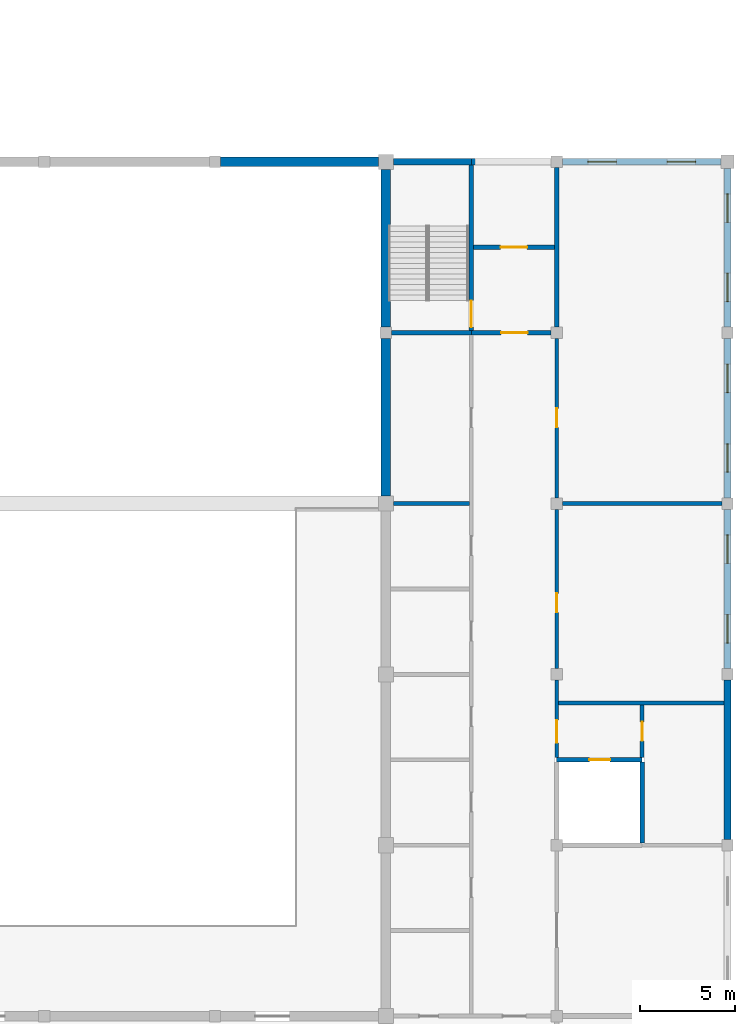
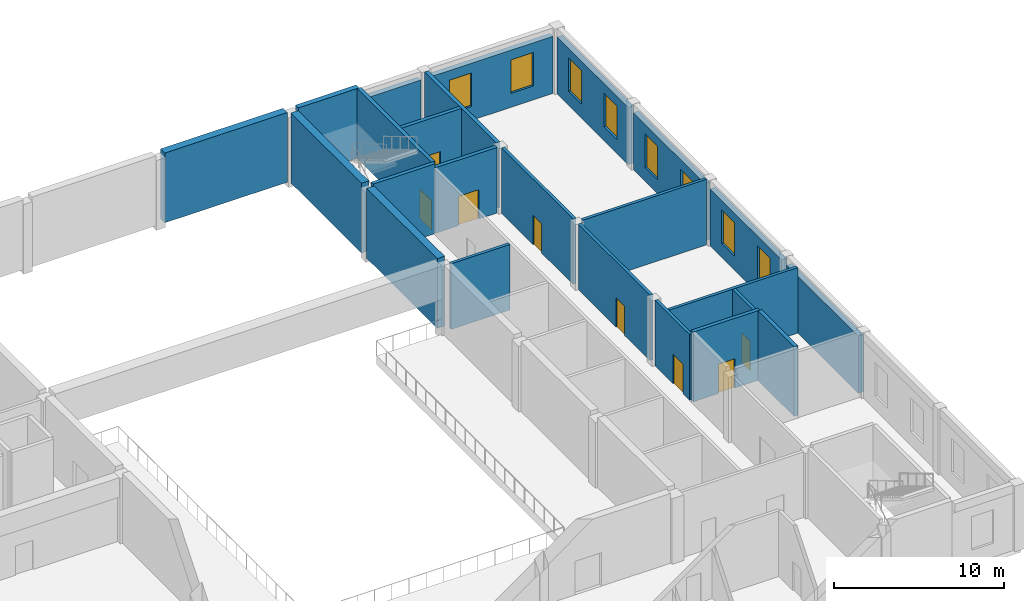
# One storey, part 26 of 34: 24 walls, 8 doors, 8 windows, 16 openings.
"""IFC4 building model written with IfcOpenShell, lengths in metres."""

from ifc_helpers import new_model, si_unit, direction, frame, frame_2d, origin, place, context, subcontext, project, spatial, rectangle, extrude, material, layer, layer_set, type_object, element, fill, save


model = new_model("IFC4")

# Units and contexts
model_context = context("Model", 3, precision=1e-05, world=origin(), true_north=direction((0.0, 1.0)))
body_context = subcontext(model_context, "Body", "Model", "MODEL_VIEW")
ifc_project = project(units=[si_unit("LENGTHUNIT", "METRE"), si_unit("AREAUNIT", "SQUARE_METRE"), si_unit("VOLUMEUNIT", "CUBIC_METRE"), si_unit("PLANEANGLEUNIT", "RADIAN"), si_unit("MASSUNIT", "GRAM", prefix="KILO")], contexts=[model_context])

# Site, building, storey
site_placement = place(None, origin())
site = spatial("IfcSite", under=ifc_project, at=site_placement, CompositionType="ELEMENT")
building_placement = place(site_placement, origin())
building = spatial("IfcBuilding", under=site, at=building_placement, Name="Firuza Court", CompositionType="ELEMENT")
storey_placement = place(building_placement, frame((0.0, 0.0, 19.0)))
storey = spatial("IfcBuildingStorey", under=building, at=storey_placement, Name="L03", CompositionType="ELEMENT", Elevation=19.0)

# Walls
ifc_material_1 = material(Name="Blockwork", Category="masonry")
ifc_layer_1 = layer(ifc_material_1, 0.199951171875)
ifc_layer_set_1 = layer_set([ifc_layer_1], Name="Blockwork")
wall_type_1 = type_object("IfcWallType", Name="HALL PARTITION 200", PredefinedType="STANDARD", material=ifc_layer_set_1)
wall_1_placement = place(storey_placement, frame((144.10009765625, 16.5, 0.0), z_axis=(0.0, 0.0, 1.0), x_axis=(1.0, 0.0, 0.0)))
element("IfcWall", 1, at=wall_1_placement, inside=storey, type_object=wall_type_1, Name="Wall L03.26", PredefinedType="STANDARD", context=body_context, shape_type="SweptSolid", body=[
    extrude(rectangle(XDim=8.724853515625, YDim=0.199951171875, at=frame_2d((4.3623046875, 0.0))), origin(), (0.0, 0.0, 1.0), 4.699951171875),
])
wall_2_placement = place(storey_placement, frame((135.39990234375, 27.0, 0.0), z_axis=(0.0, 0.0, 1.0), x_axis=(1.0, 0.0, 0.0)))
element("IfcWall", 2, at=wall_2_placement, inside=storey, type_object=wall_type_1, Name="Wall L03.38", PredefinedType="STANDARD", context=body_context, shape_type="SweptSolid", body=[
    extrude(rectangle(XDim=4.0, YDim=0.199951171875, at=frame_2d((2.0, 0.0))), origin(), (0.0, 0.0, 1.0), 4.699951171875),
])
wall_3_placement = place(storey_placement, frame((144.300048828125, 27.0, 0.0), z_axis=(0.0, 0.0, 1.0), x_axis=(1.0, 0.0, 0.0)))
element("IfcWall", 3, at=wall_3_placement, inside=storey, type_object=wall_type_1, Name="Wall L03.39", PredefinedType="STANDARD", context=body_context, shape_type="SweptSolid", body=[
    extrude(rectangle(XDim=8.39990234375, YDim=0.199951171875, at=frame_2d((4.199951171875, 0.0))), origin(), (0.0, 0.0, 1.0), 4.699951171875),
])

# Wall, opening, door
wall_4_placement = place(storey_placement, frame((144.0, 13.625, 0.0), z_axis=(0.0, 0.0, 1.0), x_axis=(0.0, 1.0, 0.0)))
wall_4 = element("IfcWall", 4, at=wall_4_placement, inside=storey, type_object=wall_type_1, Name="Wall L03.84", PredefinedType="STANDARD", context=body_context, shape_type="SweptSolid", body=[
    extrude(rectangle(XDim=4.074951171875, YDim=0.199951171875, at=frame_2d((2.03759765625, 0.0))), origin(), (0.0, 0.0, 1.0), 4.699951171875),
])
opening_1_placement = place(wall_4_placement, frame((0.77001953125, 0.0, 0.0)))
opening_1 = element("IfcOpeningElement", 5, at=opening_1_placement, cuts=wall_4, Name="Opening H126", PredefinedType="OPENING", context=body_context, shape_type="SweptSolid", body=[
    extrude(rectangle(XDim=1.199951171875, YDim=2.10009765625, at=frame_2d((0.60009765625, 1.050048828125))), frame((0.0, 0.11181640625, 0.0), z_axis=(0.0, -1.0, 0.0), x_axis=(1.0, 0.0, 0.0)), (0.0, 0.0, 1.0), 0.223876953125),
])
ifc_material_2 = material(Name="Timber", Category="wood")
door_type_1 = type_object("IfcDoorType", Name="HALL DOOR 1200X2100", OperationType="SINGLE_SWING_LEFT", PredefinedType="DOOR", material=ifc_material_2)
door_1_placement = place(opening_1_placement, frame((1.199951171875, 0.0, 0.0), z_axis=(0.0, 0.0, 1.0), x_axis=(-1.0, 0.0, 0.0)))
door_1 = element("IfcDoor", 6, at=door_1_placement, inside=storey, type_object=door_type_1, Name="Door Goods lobby to Backstage corridor", OperationType="SINGLE_SWING_RIGHT", OverallHeight=2.10009765625, OverallWidth=1.199951171875, PredefinedType="DOOR", context=body_context, shape_type="SweptSolid", body=[
    extrude(rectangle(XDim=1.199951171875, YDim=2.10009765625, at=frame_2d((0.60009765625, 1.050048828125))), frame((0.0, 0.02490234375, 0.0), z_axis=(0.0, -1.0, 0.0), x_axis=(1.0, 0.0, 0.0)), (0.0, 0.0, 1.0), 0.050048828125),
])
fill(opening_1, door_1)

wall_5_placement = place(storey_placement, frame((144.0, 18.300048828125, 0.0), z_axis=(0.0, 0.0, 1.0), x_axis=(0.0, 1.0, 0.0)))
wall_5 = element("IfcWall", 7, at=wall_5_placement, inside=storey, type_object=wall_type_1, Name="Wall L03.85", PredefinedType="STANDARD", context=body_context, shape_type="SweptSolid", body=[
    extrude(rectangle(XDim=8.39990234375, YDim=0.199951171875, at=frame_2d((4.199951171875, 0.0))), origin(), (0.0, 0.0, 1.0), 4.699951171875),
])
opening_2_placement = place(wall_5_placement, frame((2.969970703125, 0.0, 0.0)))
opening_2 = element("IfcOpeningElement", 8, at=opening_2_placement, cuts=wall_5, Name="Opening H148", PredefinedType="OPENING", context=body_context, shape_type="SweptSolid", body=[
    extrude(rectangle(XDim=1.0, YDim=2.10009765625, at=frame_2d((0.5, 1.050048828125))), frame((0.0, 0.11181640625, 0.0), z_axis=(0.0, -1.0, 0.0), x_axis=(1.0, 0.0, 0.0)), (0.0, 0.0, 1.0), 0.223876953125),
])
ifc_material_3 = material(Name="Timber", Category="wood")
door_type_2 = type_object("IfcDoorType", Name="HALL DOOR 1000X2100", OperationType="SINGLE_SWING_LEFT", PredefinedType="DOOR", material=ifc_material_3)
door_2_placement = place(opening_2_placement, frame((1.0, 0.0, 0.0), z_axis=(0.0, 0.0, 1.0), x_axis=(-1.0, 0.0, 0.0)))
door_2 = element("IfcDoor", 9, at=door_2_placement, inside=storey, type_object=door_type_2, Name="Door Meeting room", OperationType="SINGLE_SWING_RIGHT", OverallHeight=2.10009765625, OverallWidth=1.0, PredefinedType="DOOR", context=body_context, shape_type="SweptSolid", body=[
    extrude(rectangle(XDim=1.0, YDim=2.10009765625, at=frame_2d((0.5, 1.050048828125))), frame((0.0, 0.02490234375, 0.0), z_axis=(0.0, -1.0, 0.0), x_axis=(1.0, 0.0, 0.0)), (0.0, 0.0, 1.0), 0.050048828125),
])
fill(opening_2, door_2)

wall_6_placement = place(storey_placement, frame((144.0, 27.300048828125, 0.0), z_axis=(0.0, 0.0, 1.0), x_axis=(0.0, 1.0, 0.0)))
wall_6 = element("IfcWall", 10, at=wall_6_placement, inside=storey, type_object=wall_type_1, Name="Wall L03.86", PredefinedType="STANDARD", context=body_context, shape_type="SweptSolid", body=[
    extrude(rectangle(XDim=8.39990234375, YDim=0.199951171875, at=frame_2d((4.199951171875, 0.0))), origin(), (0.0, 0.0, 1.0), 4.699951171875),
])
opening_3_placement = place(wall_6_placement, frame((3.719970703125, 0.0, 0.0)))
opening_3 = element("IfcOpeningElement", 11, at=opening_3_placement, cuts=wall_6, Name="Opening H149", PredefinedType="OPENING", context=body_context, shape_type="SweptSolid", body=[
    extrude(rectangle(XDim=1.0, YDim=2.10009765625, at=frame_2d((0.5, 1.050048828125))), frame((0.0, 0.11181640625, 0.0), z_axis=(0.0, -1.0, 0.0), x_axis=(1.0, 0.0, 0.0)), (0.0, 0.0, 1.0), 0.223876953125),
])
door_3_placement = place(opening_3_placement, frame((1.0, 0.0, 0.0), z_axis=(0.0, 0.0, 1.0), x_axis=(-1.0, 0.0, 0.0)))
door_3 = element("IfcDoor", 12, at=door_3_placement, inside=storey, type_object=door_type_2, Name="Door Administration offices", OperationType="SINGLE_SWING_RIGHT", OverallHeight=2.10009765625, OverallWidth=1.0, PredefinedType="DOOR", context=body_context, shape_type="SweptSolid", body=[
    extrude(rectangle(XDim=1.0, YDim=2.10009765625, at=frame_2d((0.5, 1.050048828125))), frame((0.0, 0.02490234375, 0.0), z_axis=(0.0, -1.0, 0.0), x_axis=(1.0, 0.0, 0.0)), (0.0, 0.0, 1.0), 0.050048828125),
])
fill(opening_3, door_3)

wall_7_placement = place(storey_placement, frame((148.5, 13.625, 0.0), z_axis=(0.0, 0.0, 1.0), x_axis=(0.0, 1.0, 0.0)))
wall_7 = element("IfcWall", 13, at=wall_7_placement, inside=storey, type_object=wall_type_1, Name="Wall L03.90", PredefinedType="STANDARD", context=body_context, shape_type="SweptSolid", body=[
    extrude(rectangle(XDim=2.77490234375, YDim=0.199951171875, at=frame_2d((1.387451171875, 0.0))), origin(), (0.0, 0.0, 1.0), 4.699951171875),
])
opening_4_placement = place(wall_7_placement, frame((0.8701171875, 0.0, 0.0)))
opening_4 = element("IfcOpeningElement", 14, at=opening_4_placement, cuts=wall_7, Name="Opening H147", PredefinedType="OPENING", context=body_context, shape_type="SweptSolid", body=[
    extrude(rectangle(XDim=1.0, YDim=2.10009765625, at=frame_2d((0.5, 1.050048828125))), frame((0.0, 0.11181640625, 0.0), z_axis=(0.0, -1.0, 0.0), x_axis=(1.0, 0.0, 0.0)), (0.0, 0.0, 1.0), 0.223876953125),
])
door_4_placement = place(opening_4_placement, frame((1.0, 0.0, 0.0), z_axis=(0.0, 0.0, 1.0), x_axis=(-1.0, 0.0, 0.0)))
door_4 = element("IfcDoor", 15, at=door_4_placement, inside=storey, type_object=door_type_2, Name="Door Scenery store", OperationType="SINGLE_SWING_LEFT", OverallHeight=2.10009765625, OverallWidth=1.0, PredefinedType="DOOR", context=body_context, shape_type="SweptSolid", body=[
    extrude(rectangle(XDim=1.0, YDim=2.10009765625, at=frame_2d((0.5, 1.050048828125))), frame((0.0, 0.02490234375, 0.0), z_axis=(0.0, -1.0, 0.0), x_axis=(1.0, 0.0, 0.0)), (0.0, 0.0, 1.0), 0.050048828125),
])
fill(opening_4, door_4)

ifc_material_4 = material(Name="Concrete C40/50", Category="concrete")
ifc_layer_2 = layer(ifc_material_4, 0.25)
ifc_layer_set_2 = layer_set([ifc_layer_2], Name="Concrete C40/50")
wall_type_2 = type_object("IfcWallType", Name="HALL RC WALL 250", PredefinedType="STANDARD", material=ifc_layer_set_2)
wall_8_placement = place(storey_placement, frame((144.0, 13.5, 0.0), z_axis=(0.0, 0.0, 1.0), x_axis=(1.0, 0.0, 0.0)))
wall_8 = element("IfcWall", 16, at=wall_8_placement, inside=storey, type_object=wall_type_2, Name="Wall L03.25", PredefinedType="STANDARD", context=body_context, shape_type="SweptSolid", body=[
    extrude(rectangle(XDim=4.5, YDim=0.25, at=frame_2d((2.25, 0.0))), origin(), (0.0, 0.0, 1.0), 5.0),
])
opening_5_placement = place(wall_8_placement, frame((1.719970703125, 0.0, 0.0)))
opening_5 = element("IfcOpeningElement", 17, at=opening_5_placement, cuts=wall_8, Name="Opening LD", PredefinedType="OPENING", context=body_context, shape_type="SweptSolid", body=[
    extrude(rectangle(XDim=1.10009765625, YDim=2.10009765625, at=frame_2d((0.550048828125, 1.050048828125))), frame((0.0, 0.136962890625, 0.0), z_axis=(0.0, -1.0, 0.0), x_axis=(1.0, 0.0, 0.0)), (0.0, 0.0, 1.0), 0.27392578125),
])
ifc_material_5 = material(Name="Stainless steel", Category="steel")
door_type_3 = type_object("IfcDoorType", Name="HALL LANDING DOOR 1100X2100", OperationType="SLIDING_TO_LEFT", PredefinedType="DOOR", material=ifc_material_5)
door_5_placement = place(opening_5_placement, origin())
door_5 = element("IfcDoor", 18, at=door_5_placement, inside=storey, type_object=door_type_3, Name="Landing door GL1 L03", OperationType="SLIDING_TO_LEFT", OverallHeight=2.10009765625, OverallWidth=1.10009765625, PredefinedType="DOOR", context=body_context, shape_type="SweptSolid", body=[
    extrude(rectangle(XDim=1.10009765625, YDim=2.10009765625, at=frame_2d((0.550048828125, 1.050048828125))), frame((0.0, 0.02490234375, 0.0), z_axis=(0.0, -1.0, 0.0), x_axis=(1.0, 0.0, 0.0)), (0.0, 0.0, 1.0), 0.050048828125),
])
fill(opening_5, door_5)

# Wall
wall_9_placement = place(storey_placement, frame((135.300048828125, 36.0, 0.0), z_axis=(0.0, 0.0, 1.0), x_axis=(1.0, 0.0, 0.0)))
element("IfcWall", 19, at=wall_9_placement, inside=storey, type_object=wall_type_2, Name="Wall L03.40", PredefinedType="STANDARD", context=body_context, shape_type="SweptSolid", body=[
    extrude(rectangle(XDim=4.199951171875, YDim=0.25, at=frame_2d((2.10009765625, 0.0))), origin(), (0.0, 0.0, 1.0), 5.0),
])

# Wall, opening, door
wall_10_placement = place(storey_placement, frame((139.5, 36.0, 0.0), z_axis=(0.0, 0.0, 1.0), x_axis=(1.0, 0.0, 0.0)))
wall_10 = element("IfcWall", 20, at=wall_10_placement, inside=storey, type_object=wall_type_2, Name="Wall L03.41", PredefinedType="STANDARD", context=body_context, shape_type="SweptSolid", body=[
    extrude(rectangle(XDim=4.199951171875, YDim=0.25, at=frame_2d((2.10009765625, 0.0))), origin(), (0.0, 0.0, 1.0), 4.699951171875),
])
opening_6_placement = place(wall_10_placement, frame((1.570068359375, 0.0, 0.0)))
opening_6 = element("IfcOpeningElement", 21, at=opening_6_placement, cuts=wall_10, Name="Opening H120", PredefinedType="OPENING", context=body_context, shape_type="SweptSolid", body=[
    extrude(rectangle(XDim=1.39990234375, YDim=2.10009765625, at=frame_2d((0.699951171875, 1.050048828125))), frame((0.0, 0.136962890625, 0.0), z_axis=(0.0, -1.0, 0.0), x_axis=(1.0, 0.0, 0.0)), (0.0, 0.0, 1.0), 0.27392578125),
])
ifc_material_6 = material(Name="Timber", Category="wood")
door_type_4 = type_object("IfcDoorType", Name="HALL DOOR 1400X2100", OperationType="DOUBLE_DOOR_SINGLE_SWING", PredefinedType="DOOR", material=ifc_material_6)
door_6_placement = place(opening_6_placement, origin())
door_6 = element("IfcDoor", 22, at=door_6_placement, inside=storey, type_object=door_type_4, Name="Exit door stair H4 lobby", OperationType="DOUBLE_DOOR_SINGLE_SWING", OverallHeight=2.10009765625, OverallWidth=1.39990234375, PredefinedType="DOOR", context=body_context, shape_type="SweptSolid", body=[
    extrude(rectangle(XDim=1.39990234375, YDim=2.10009765625, at=frame_2d((0.699951171875, 1.050048828125))), frame((0.0, 0.02490234375, 0.0), z_axis=(0.0, -1.0, 0.0), x_axis=(1.0, 0.0, 0.0)), (0.0, 0.0, 1.0), 0.050048828125),
])
fill(opening_6, door_6)

wall_11_placement = place(storey_placement, frame((139.625, 40.5, 0.0), z_axis=(0.0, 0.0, 1.0), x_axis=(1.0, 0.0, 0.0)))
wall_11 = element("IfcWall", 23, at=wall_11_placement, inside=storey, type_object=wall_type_2, Name="Wall L03.42", PredefinedType="STANDARD", context=body_context, shape_type="SweptSolid", body=[
    extrude(rectangle(XDim=4.25, YDim=0.25, at=frame_2d((2.125, 0.0))), origin(), (0.0, 0.0, 1.0), 4.699951171875),
])
opening_7_placement = place(wall_11_placement, frame((1.419921875, 0.0, 0.0)))
opening_7 = element("IfcOpeningElement", 24, at=opening_7_placement, cuts=wall_11, Name="Opening H121", PredefinedType="OPENING", context=body_context, shape_type="SweptSolid", body=[
    extrude(rectangle(XDim=1.39990234375, YDim=2.10009765625, at=frame_2d((0.699951171875, 1.050048828125))), frame((0.0, 0.136962890625, 0.0), z_axis=(0.0, -1.0, 0.0), x_axis=(1.0, 0.0, 0.0)), (0.0, 0.0, 1.0), 0.27392578125),
])
door_7_placement = place(opening_7_placement, origin())
door_7 = element("IfcDoor", 25, at=door_7_placement, inside=storey, type_object=door_type_4, Name="Exit door stair H4 passage", OperationType="DOUBLE_DOOR_SINGLE_SWING", OverallHeight=2.10009765625, OverallWidth=1.39990234375, PredefinedType="DOOR", context=body_context, shape_type="SweptSolid", body=[
    extrude(rectangle(XDim=1.39990234375, YDim=2.10009765625, at=frame_2d((0.699951171875, 1.050048828125))), frame((0.0, 0.02490234375, 0.0), z_axis=(0.0, -1.0, 0.0), x_axis=(1.0, 0.0, 0.0)), (0.0, 0.0, 1.0), 0.050048828125),
])
fill(opening_7, door_7)

wall_12_placement = place(storey_placement, frame((139.5, 36.125, 0.0), z_axis=(0.0, 0.0, 1.0), x_axis=(0.0, 1.0, 0.0)))
wall_12 = element("IfcWall", 26, at=wall_12_placement, inside=storey, type_object=wall_type_2, Name="Wall L03.80", PredefinedType="STANDARD", context=body_context, shape_type="SweptSolid", body=[
    extrude(rectangle(XDim=8.699951171875, YDim=0.25, at=frame_2d((4.35009765625, 0.0))), origin(), (0.0, 0.0, 1.0), 5.0),
])
opening_8_placement = place(wall_12_placement, frame((0.169921875, 0.0, 0.0)))
opening_8 = element("IfcOpeningElement", 27, at=opening_8_placement, cuts=wall_12, Name="Opening H119", PredefinedType="OPENING", context=body_context, shape_type="SweptSolid", body=[
    extrude(rectangle(XDim=1.39990234375, YDim=2.10009765625, at=frame_2d((0.699951171875, 1.050048828125))), frame((0.0, 0.136962890625, 0.0), z_axis=(0.0, -1.0, 0.0), x_axis=(1.0, 0.0, 0.0)), (0.0, 0.0, 1.0), 0.27392578125),
])
door_8_placement = place(opening_8_placement, origin())
door_8 = element("IfcDoor", 28, at=door_8_placement, inside=storey, type_object=door_type_4, Name="Stair H4 door", OperationType="DOUBLE_DOOR_SINGLE_SWING", OverallHeight=2.10009765625, OverallWidth=1.39990234375, PredefinedType="DOOR", context=body_context, shape_type="SweptSolid", body=[
    extrude(rectangle(XDim=1.39990234375, YDim=2.10009765625, at=frame_2d((0.699951171875, 1.050048828125))), frame((0.0, 0.02490234375, 0.0), z_axis=(0.0, -1.0, 0.0), x_axis=(1.0, 0.0, 0.0)), (0.0, 0.0, 1.0), 0.050048828125),
])
fill(opening_8, door_8)

# Walls
wall_13_placement = place(storey_placement, frame((144.0, 36.300048828125, 0.0), z_axis=(0.0, 0.0, 1.0), x_axis=(0.0, 1.0, 0.0)))
element("IfcWall", 29, at=wall_13_placement, inside=storey, type_object=wall_type_2, Name="Wall L03.87", PredefinedType="STANDARD", context=body_context, shape_type="SweptSolid", body=[
    extrude(rectangle(XDim=8.39990234375, YDim=0.25, at=frame_2d((4.199951171875, 0.0))), origin(), (0.0, 0.0, 1.0), 4.699951171875),
])
wall_14_placement = place(storey_placement, frame((148.5, 9.125, 0.0), z_axis=(0.0, 0.0, 1.0), x_axis=(0.0, 1.0, 0.0)))
element("IfcWall", 30, at=wall_14_placement, inside=storey, type_object=wall_type_2, Name="Wall L03.89", PredefinedType="STANDARD", context=body_context, shape_type="SweptSolid", body=[
    extrude(rectangle(XDim=4.25, YDim=0.25, at=frame_2d((2.125, 0.0))), origin(), (0.0, 0.0, 1.0), 5.0),
])
ifc_layer_3 = layer(ifc_material_4, 0.5)
ifc_layer_set_3 = layer_set([ifc_layer_3], Name="Concrete C40/50")
wall_type_3 = type_object("IfcWallType", Name="HALL RC WALL 500", PredefinedType="STANDARD", material=ifc_layer_set_3)
for number, where, z_axis, x_axis, name in (
    (31, (135.0, 27.39990234375, 0.0), (0.0, 0.0, 1.0), (0.0, 1.0, 0.0), "Wall L03.76"),
    (32, (135.0, 36.300048828125, 0.0), (0.0, 0.0, 1.0), (0.0, 1.0, 0.0), "Wall L03.77"),
):
    element("IfcWall", number, at=place(storey_placement, frame(where, z_axis=z_axis, x_axis=x_axis)), inside=storey, type_object=wall_type_3, Name=name, PredefinedType="STANDARD", context=body_context, shape_type="SweptSolid", body=[
        extrude(rectangle(XDim=8.300048828125, YDim=0.5, at=frame_2d((4.14990234375, 0.0))), origin(), (0.0, 0.0, 1.0), 5.0),
    ])
ifc_material_7 = material(Name="Concrete C30/37", Category="concrete")
ifc_layer_4 = layer(ifc_material_7, 0.300048828125)
ifc_material_8 = material(Name="Ceramic tile", Category="ceramic")
ifc_layer_5 = layer(ifc_material_8, 0.050048828125)
ifc_layer_set_4 = layer_set([ifc_layer_4, ifc_layer_5], Name="Concrete C30/37")
wall_type_4 = type_object("IfcWallType", Name="HALL TILE CLAD WALL 350", PredefinedType="STANDARD", material=ifc_layer_set_4)
wall_15_placement = place(storey_placement, frame((126.300048828125, 45.0, 0.0), z_axis=(0.0, 0.0, 1.0), x_axis=(1.0, 0.0, 0.0)))
element("IfcWall", 33, at=wall_15_placement, inside=storey, type_object=wall_type_4, Name="Wall L03.45", PredefinedType="STANDARD", context=body_context, shape_type="SweptSolid", body=[
    extrude(rectangle(XDim=8.300048828125, YDim=0.5, at=frame_2d((4.14990234375, 0.0))), origin(), (0.0, 0.0, 1.0), 5.0),
])
wall_16_placement = place(storey_placement, frame((135.39990234375, 45.0, 0.0), z_axis=(0.0, 0.0, 1.0), x_axis=(1.0, 0.0, 0.0)))
element("IfcWall", 34, at=wall_16_placement, inside=storey, type_object=wall_type_4, Name="Wall L03.46", PredefinedType="STANDARD", context=body_context, shape_type="SweptSolid", body=[
    extrude(rectangle(XDim=4.10009765625, YDim=0.35009765625, at=frame_2d((2.050048828125, 0.0))), origin(), (0.0, 0.0, 1.0), 5.0),
])
wall_17_placement = place(storey_placement, frame((139.5, 45.0, 0.0), z_axis=(0.0, 0.0, 1.0), x_axis=(1.0, 0.0, 0.0)))
element("IfcWall", 35, at=wall_17_placement, inside=storey, type_object=wall_type_4, Name="Wall L03.47", PredefinedType="STANDARD", context=body_context, shape_type="SweptSolid", body=[
    extrude(rectangle(XDim=4.199951171875, YDim=0.35009765625, at=frame_2d((2.10009765625, 0.0))), origin(), (0.0, 0.0, 1.0), 4.10009765625),
])

# Wall, openings, windows
wall_18_placement = place(storey_placement, frame((144.300048828125, 45.0, 0.0), z_axis=(0.0, 0.0, 1.0), x_axis=(1.0, 0.0, 0.0)))
wall_18 = element("IfcWall", 36, at=wall_18_placement, inside=storey, type_object=wall_type_4, Name="Wall L03.48", PredefinedType="STANDARD", context=body_context, shape_type="SweptSolid", body=[
    extrude(rectangle(XDim=8.349853515625, YDim=0.35009765625, at=frame_2d((4.1748046875, 0.0))), origin(), (0.0, 0.0, 1.0), 4.10009765625),
])
opening_9_placement = place(wall_18_placement, frame((1.33740234375, 0.0, 1.0)))
opening_9 = element("IfcOpeningElement", 37, at=opening_9_placement, cuts=wall_18, Name="Opening HW-1", PredefinedType="OPENING", context=body_context, shape_type="SweptSolid", body=[
    extrude(rectangle(XDim=1.5, YDim=2.39990234375, at=frame_2d((0.75, 1.199951171875))), frame((0.0, 0.18701171875, 0.0), z_axis=(0.0, -1.0, 0.0), x_axis=(1.0, 0.0, 0.0)), (0.0, 0.0, 1.0), 0.3740234375),
])
opening_10_placement = place(wall_18_placement, frame((5.512451171875, 0.0, 1.0)))
opening_10 = element("IfcOpeningElement", 38, at=opening_10_placement, cuts=wall_18, Name="Opening HW-1", PredefinedType="OPENING", context=body_context, shape_type="SweptSolid", body=[
    extrude(rectangle(XDim=1.5, YDim=2.39990234375, at=frame_2d((0.75, 1.199951171875))), frame((0.0, 0.18701171875, 0.0), z_axis=(0.0, -1.0, 0.0), x_axis=(1.0, 0.0, 0.0)), (0.0, 0.0, 1.0), 0.3740234375),
])
ifc_material_9 = material(Name="Aluminium", Category="aluminium")
window_type = type_object("IfcWindowType", Name="HALL WINDOW 1500X2400", PartitioningType="SINGLE_PANEL", PredefinedType="WINDOW", material=ifc_material_9)
window_1_placement = place(opening_9_placement, origin())
window_1 = element("IfcWindow", 39, at=window_1_placement, inside=storey, type_object=window_type, Name="Window L03.87", OverallHeight=2.39990234375, OverallWidth=1.5, PartitioningType="SINGLE_PANEL", PredefinedType="WINDOW", context=body_context, shape_type="SweptSolid", body=[
    extrude(rectangle(XDim=1.5, YDim=2.39990234375, at=frame_2d((0.75, 1.199951171875))), frame((0.0, 0.030029296875, 0.0), z_axis=(0.0, -1.0, 0.0), x_axis=(1.0, 0.0, 0.0)), (0.0, 0.0, 1.0), 0.06005859375),
])
fill(opening_9, window_1)
window_2_placement = place(opening_10_placement, origin())
window_2 = element("IfcWindow", 40, at=window_2_placement, inside=storey, type_object=window_type, Name="Window L03.88", OverallHeight=2.39990234375, OverallWidth=1.5, PartitioningType="SINGLE_PANEL", PredefinedType="WINDOW", context=body_context, shape_type="SweptSolid", body=[
    extrude(rectangle(XDim=1.5, YDim=2.39990234375, at=frame_2d((0.75, 1.199951171875))), frame((0.0, 0.030029296875, 0.0), z_axis=(0.0, -1.0, 0.0), x_axis=(1.0, 0.0, 0.0)), (0.0, 0.0, 1.0), 0.06005859375),
])
fill(opening_10, window_2)

# Wall
wall_19_placement = place(storey_placement, frame((153.0, 9.300048828125, 0.0), z_axis=(0.0, 0.0, 1.0), x_axis=(0.0, 1.0, 0.0)))
element("IfcWall", 41, at=wall_19_placement, inside=storey, type_object=wall_type_4, Name="Wall L03.93", PredefinedType="STANDARD", context=body_context, shape_type="SweptSolid", body=[
    extrude(rectangle(XDim=8.39990234375, YDim=0.35009765625, at=frame_2d((4.199951171875, 0.0))), origin(), (0.0, 0.0, 1.0), 4.10009765625),
])

# Wall, openings, windows
wall_20_placement = place(storey_placement, frame((153.0, 18.300048828125, 0.0), z_axis=(0.0, 0.0, 1.0), x_axis=(0.0, 1.0, 0.0)))
wall_20 = element("IfcWall", 42, at=wall_20_placement, inside=storey, type_object=wall_type_4, Name="Wall L03.94", PredefinedType="STANDARD", context=body_context, shape_type="SweptSolid", body=[
    extrude(rectangle(XDim=8.39990234375, YDim=0.35009765625, at=frame_2d((4.199951171875, 0.0))), origin(), (0.0, 0.0, 1.0), 4.10009765625),
])
opening_11_placement = place(wall_20_placement, frame((1.35009765625, 0.0, 1.0)))
opening_11 = element("IfcOpeningElement", 43, at=opening_11_placement, cuts=wall_20, Name="Opening HW-1", PredefinedType="OPENING", context=body_context, shape_type="SweptSolid", body=[
    extrude(rectangle(XDim=1.5, YDim=2.39990234375, at=frame_2d((0.75, 1.199951171875))), frame((0.0, 0.18701171875, 0.0), z_axis=(0.0, -1.0, 0.0), x_axis=(1.0, 0.0, 0.0)), (0.0, 0.0, 1.0), 0.3740234375),
])
opening_12_placement = place(wall_20_placement, frame((5.550048828125, 0.0, 1.0)))
opening_12 = element("IfcOpeningElement", 44, at=opening_12_placement, cuts=wall_20, Name="Opening HW-1", PredefinedType="OPENING", context=body_context, shape_type="SweptSolid", body=[
    extrude(rectangle(XDim=1.5, YDim=2.39990234375, at=frame_2d((0.75, 1.199951171875))), frame((0.0, 0.18701171875, 0.0), z_axis=(0.0, -1.0, 0.0), x_axis=(1.0, 0.0, 0.0)), (0.0, 0.0, 1.0), 0.3740234375),
])
window_3_placement = place(opening_11_placement, origin())
window_3 = element("IfcWindow", 45, at=window_3_placement, inside=storey, type_object=window_type, Name="Window L03.101", OverallHeight=2.39990234375, OverallWidth=1.5, PartitioningType="SINGLE_PANEL", PredefinedType="WINDOW", context=body_context, shape_type="SweptSolid", body=[
    extrude(rectangle(XDim=1.5, YDim=2.39990234375, at=frame_2d((0.75, 1.199951171875))), frame((0.0, 0.030029296875, 0.0), z_axis=(0.0, -1.0, 0.0), x_axis=(1.0, 0.0, 0.0)), (0.0, 0.0, 1.0), 0.06005859375),
])
fill(opening_11, window_3)
window_4_placement = place(opening_12_placement, origin())
window_4 = element("IfcWindow", 46, at=window_4_placement, inside=storey, type_object=window_type, Name="Window L03.102", OverallHeight=2.39990234375, OverallWidth=1.5, PartitioningType="SINGLE_PANEL", PredefinedType="WINDOW", context=body_context, shape_type="SweptSolid", body=[
    extrude(rectangle(XDim=1.5, YDim=2.39990234375, at=frame_2d((0.75, 1.199951171875))), frame((0.0, 0.030029296875, 0.0), z_axis=(0.0, -1.0, 0.0), x_axis=(1.0, 0.0, 0.0)), (0.0, 0.0, 1.0), 0.06005859375),
])
fill(opening_12, window_4)

wall_21_placement = place(storey_placement, frame((153.0, 27.300048828125, 0.0), z_axis=(0.0, 0.0, 1.0), x_axis=(0.0, 1.0, 0.0)))
wall_21 = element("IfcWall", 47, at=wall_21_placement, inside=storey, type_object=wall_type_4, Name="Wall L03.95", PredefinedType="STANDARD", context=body_context, shape_type="SweptSolid", body=[
    extrude(rectangle(XDim=8.39990234375, YDim=0.35009765625, at=frame_2d((4.199951171875, 0.0))), origin(), (0.0, 0.0, 1.0), 4.10009765625),
])
opening_13_placement = place(wall_21_placement, frame((1.35009765625, 0.0, 1.0)))
opening_13 = element("IfcOpeningElement", 48, at=opening_13_placement, cuts=wall_21, Name="Opening HW-1", PredefinedType="OPENING", context=body_context, shape_type="SweptSolid", body=[
    extrude(rectangle(XDim=1.5, YDim=2.39990234375, at=frame_2d((0.75, 1.199951171875))), frame((0.0, 0.18701171875, 0.0), z_axis=(0.0, -1.0, 0.0), x_axis=(1.0, 0.0, 0.0)), (0.0, 0.0, 1.0), 0.3740234375),
])
opening_14_placement = place(wall_21_placement, frame((5.550048828125, 0.0, 1.0)))
opening_14 = element("IfcOpeningElement", 49, at=opening_14_placement, cuts=wall_21, Name="Opening HW-1", PredefinedType="OPENING", context=body_context, shape_type="SweptSolid", body=[
    extrude(rectangle(XDim=1.5, YDim=2.39990234375, at=frame_2d((0.75, 1.199951171875))), frame((0.0, 0.18701171875, 0.0), z_axis=(0.0, -1.0, 0.0), x_axis=(1.0, 0.0, 0.0)), (0.0, 0.0, 1.0), 0.3740234375),
])
window_5_placement = place(opening_13_placement, origin())
window_5 = element("IfcWindow", 50, at=window_5_placement, inside=storey, type_object=window_type, Name="Window L03.103", OverallHeight=2.39990234375, OverallWidth=1.5, PartitioningType="SINGLE_PANEL", PredefinedType="WINDOW", context=body_context, shape_type="SweptSolid", body=[
    extrude(rectangle(XDim=1.5, YDim=2.39990234375, at=frame_2d((0.75, 1.199951171875))), frame((0.0, 0.030029296875, 0.0), z_axis=(0.0, -1.0, 0.0), x_axis=(1.0, 0.0, 0.0)), (0.0, 0.0, 1.0), 0.06005859375),
])
fill(opening_13, window_5)
window_6_placement = place(opening_14_placement, origin())
window_6 = element("IfcWindow", 51, at=window_6_placement, inside=storey, type_object=window_type, Name="Window L03.104", OverallHeight=2.39990234375, OverallWidth=1.5, PartitioningType="SINGLE_PANEL", PredefinedType="WINDOW", context=body_context, shape_type="SweptSolid", body=[
    extrude(rectangle(XDim=1.5, YDim=2.39990234375, at=frame_2d((0.75, 1.199951171875))), frame((0.0, 0.030029296875, 0.0), z_axis=(0.0, -1.0, 0.0), x_axis=(1.0, 0.0, 0.0)), (0.0, 0.0, 1.0), 0.06005859375),
])
fill(opening_14, window_6)

wall_22_placement = place(storey_placement, frame((153.0, 36.300048828125, 0.0), z_axis=(0.0, 0.0, 1.0), x_axis=(0.0, 1.0, 0.0)))
wall_22 = element("IfcWall", 52, at=wall_22_placement, inside=storey, type_object=wall_type_4, Name="Wall L03.96", PredefinedType="STANDARD", context=body_context, shape_type="SweptSolid", body=[
    extrude(rectangle(XDim=8.349853515625, YDim=0.35009765625, at=frame_2d((4.1748046875, 0.0))), origin(), (0.0, 0.0, 1.0), 4.10009765625),
])
opening_15_placement = place(wall_22_placement, frame((1.33740234375, 0.0, 1.0)))
opening_15 = element("IfcOpeningElement", 53, at=opening_15_placement, cuts=wall_22, Name="Opening HW-1", PredefinedType="OPENING", context=body_context, shape_type="SweptSolid", body=[
    extrude(rectangle(XDim=1.5, YDim=2.39990234375, at=frame_2d((0.75, 1.199951171875))), frame((0.0, 0.18701171875, 0.0), z_axis=(0.0, -1.0, 0.0), x_axis=(1.0, 0.0, 0.0)), (0.0, 0.0, 1.0), 0.3740234375),
])
opening_16_placement = place(wall_22_placement, frame((5.512451171875, 0.0, 1.0)))
opening_16 = element("IfcOpeningElement", 54, at=opening_16_placement, cuts=wall_22, Name="Opening HW-1", PredefinedType="OPENING", context=body_context, shape_type="SweptSolid", body=[
    extrude(rectangle(XDim=1.5, YDim=2.39990234375, at=frame_2d((0.75, 1.199951171875))), frame((0.0, 0.18701171875, 0.0), z_axis=(0.0, -1.0, 0.0), x_axis=(1.0, 0.0, 0.0)), (0.0, 0.0, 1.0), 0.3740234375),
])
window_7_placement = place(opening_15_placement, origin())
window_7 = element("IfcWindow", 55, at=window_7_placement, inside=storey, type_object=window_type, Name="Window L03.105", OverallHeight=2.39990234375, OverallWidth=1.5, PartitioningType="SINGLE_PANEL", PredefinedType="WINDOW", context=body_context, shape_type="SweptSolid", body=[
    extrude(rectangle(XDim=1.5, YDim=2.39990234375, at=frame_2d((0.75, 1.199951171875))), frame((0.0, 0.030029296875, 0.0), z_axis=(0.0, -1.0, 0.0), x_axis=(1.0, 0.0, 0.0)), (0.0, 0.0, 1.0), 0.06005859375),
])
fill(opening_15, window_7)
window_8_placement = place(opening_16_placement, origin())
window_8 = element("IfcWindow", 56, at=window_8_placement, inside=storey, type_object=window_type, Name="Window L03.106", OverallHeight=2.39990234375, OverallWidth=1.5, PartitioningType="SINGLE_PANEL", PredefinedType="WINDOW", context=body_context, shape_type="SweptSolid", body=[
    extrude(rectangle(XDim=1.5, YDim=2.39990234375, at=frame_2d((0.75, 1.199951171875))), frame((0.0, 0.030029296875, 0.0), z_axis=(0.0, -1.0, 0.0), x_axis=(1.0, 0.0, 0.0)), (0.0, 0.0, 1.0), 0.06005859375),
])
fill(opening_16, window_8)

save(model, "model.ifc")
